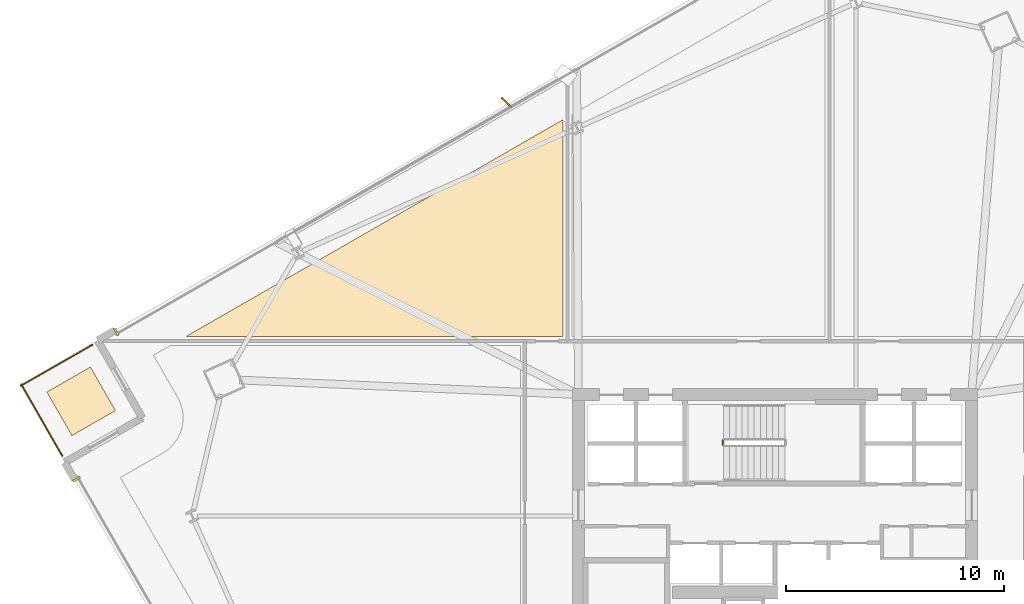
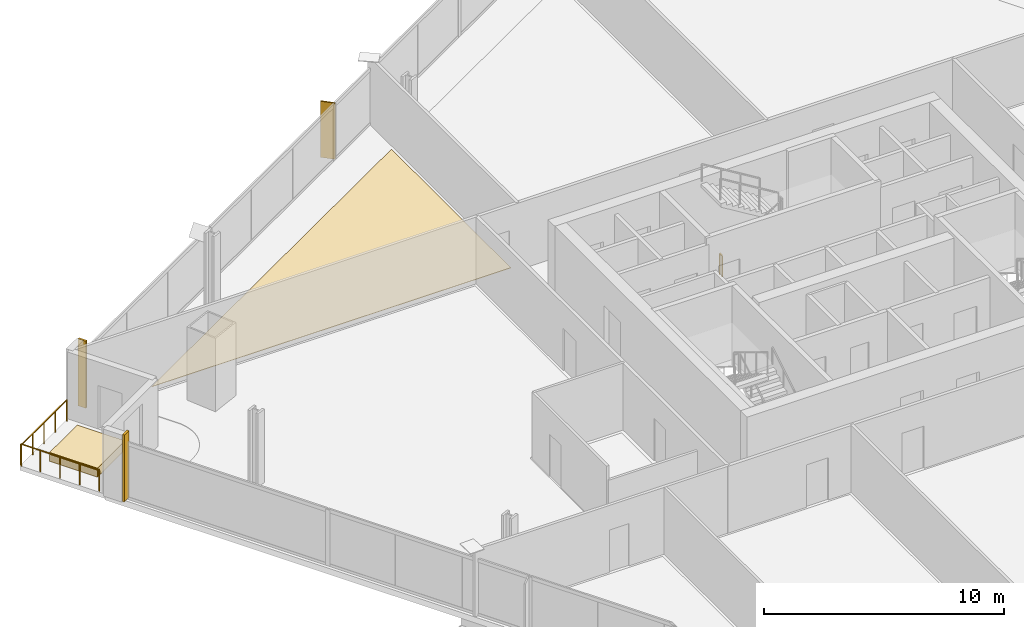
# One storey, part 31 of 33: 4 coverings, 3 railings, 1 shading device.
"""IFC4 building model written with IfcOpenShell, lengths in metres."""

from ifc_helpers import new_model, si_unit, direction, frame, origin, origin_2d, place, context, subcontext, project, spatial, polyline, rectangle, outline, extrude, source, transform, mapped, material, layer, layer_set, type_object, element, save


model = new_model("IFC4")

# Units and contexts
model_context = context("Model", 3, precision=1e-05, world=origin(), true_north=direction((0.0, 1.0)))
body_context = subcontext(model_context, "Body", "Model", "MODEL_VIEW")
ifc_project = project(units=[si_unit("LENGTHUNIT", "METRE"), si_unit("AREAUNIT", "SQUARE_METRE"), si_unit("VOLUMEUNIT", "CUBIC_METRE"), si_unit("PLANEANGLEUNIT", "RADIAN"), si_unit("MASSUNIT", "GRAM", prefix="KILO")], contexts=[model_context])

# Site, building, storey
site_placement = place(None, origin())
site = spatial("IfcSite", under=ifc_project, at=site_placement, CompositionType="ELEMENT")
building_placement = place(site_placement, origin())
building = spatial("IfcBuilding", under=site, at=building_placement, Name="Haldenkirk Collegiate Tower", CompositionType="ELEMENT")
storey_placement = place(building_placement, frame((0.0, 0.0, 127.949951171875)))
storey = spatial("IfcBuildingStorey", under=building, at=storey_placement, Name="L31", CompositionType="ELEMENT", Elevation=127.949951171875)

# Coverings
ifc_material_1 = material(Name="Engineered collegiate oak acoustic flooring", Category="wood")
ifc_layer_1 = layer(ifc_material_1, 0.02197265625)
ifc_layer_set_1 = layer_set([ifc_layer_1], Name="Engineered collegiate oak acoustic flooring")
covering_type_1 = type_object("IfcCoveringType", Name="COV-FLOOR-TIMBER", PredefinedType="FLOORING", material=ifc_layer_set_1)
covering_1_placement = place(storey_placement, origin())
element("IfcCovering", 1, at=covering_1_placement, inside=storey, type_object=covering_type_1, Name="L31 academic room finish 05", PredefinedType="FLOORING", context=body_context, shape_type="SweptSolid", body=[
    extrude(outline(polyline([(26.300048828125, 46.584716796875), (26.300048828125, 36.64990234375), (9.023193359375, 36.64990234375), (26.300048828125, 46.584716796875)])), origin(), (0.0, 0.0, 1.0), 0.02197265625),
])
ifc_material_2 = material(Name="Precast concrete f'c 40 MPa", Category="concrete")
ifc_layer_2 = layer(ifc_material_2, 0.449951171875)
ifc_layer_set_2 = layer_set([ifc_layer_2], Name="Precast concrete f'c 40 MPa")
covering_type_2 = type_object("IfcCoveringType", Name="COV-PLANTER-450", PredefinedType="USERDEFINED", material=ifc_layer_set_2)
covering_2_placement = place(storey_placement, origin())
element("IfcCovering", 2, at=covering_2_placement, inside=storey, type_object=covering_type_2, Name="L31 planted garden planter bed", ObjectType="PLANTER", PredefinedType="USERDEFINED", context=body_context, shape_type="SweptSolid", body=[
    extrude(outline(polyline([(3.81494140625, 32.120849609375), (2.668212890625, 34.11474609375), (4.662109375, 35.26123046875), (5.808837890625, 33.267333984375), (3.81494140625, 32.120849609375)])), origin(), (0.0, 0.0, 1.0), 0.449951171875),
])

# Railings
ifc_material_3 = material(Name="Painted architectural tubular steel", Category="steel")
railing_type_1 = type_object("IfcRailingType", Name="RLG-STAIR-GUARD-1100", PredefinedType="BALUSTRADE", material=ifc_material_3)
railing_1_placement = place(storey_placement, frame((33.60009765625, 31.699951171875, 0.0)))
element("IfcRailing", 3, at=railing_1_placement, inside=storey, type_object=railing_type_1, Name="L31 ST-3 stair guard 4", PredefinedType="BALUSTRADE", context=body_context, shape_type="SweptSolid", body=[
    extrude(rectangle(XDim=0.048095703125, YDim=0.048095703125, at=origin_2d()), frame((0.0, 0.0, 1.076171875), z_axis=(0.0, 1.0, 0.0), x_axis=(-1.0, 0.0, 0.0)), (0.0, 0.0, 1.0), 0.199951171875),
    extrude(rectangle(XDim=0.0419921875, YDim=0.0419921875, at=origin_2d()), origin(), (0.0, 0.0, 1.0), 1.052001953125),
    extrude(rectangle(XDim=0.0419921875, YDim=0.0419921875, at=origin_2d()), frame((0.0, 0.199951171875, 0.0)), (0.0, 0.0, 1.0), 1.052001953125),
])
ifc_material_4 = material(Name="Anodised architectural bronze aluminium", Category="aluminium")
railing_type_2 = type_object("IfcRailingType", Name="RLG-TERR-BALUSTRADE-1100", PredefinedType="BALUSTRADE", material=ifc_material_4)
railing_2_placement = place(storey_placement, frame((4.746337890625, 36.278564453125, 0.0)))
element("IfcRailing", 4, at=railing_2_placement, inside=storey, type_object=railing_type_2, Name="L31 terrace guard balustrade 3-1", PredefinedType="BALUSTRADE", context=body_context, shape_type="SweptSolid", body=[
    extrude(rectangle(XDim=0.048095703125, YDim=0.048095703125, at=origin_2d()), frame((0.0, 0.0, 1.076171875), z_axis=(-0.866896534338, -0.49848811295, 0.0), x_axis=(0.49848811295, -0.866896534338, 0.0)), (0.0, 0.0, 1.0), 3.780029296875),
    extrude(rectangle(XDim=0.0419921875, YDim=0.0419921875, at=origin_2d()), origin(), (0.0, 0.0, 1.0), 1.052001953125),
    extrude(rectangle(XDim=0.0419921875, YDim=0.0419921875, at=origin_2d()), frame((-0.8193359375, -0.47119140625, 0.0)), (0.0, 0.0, 1.0), 1.052001953125),
    extrude(rectangle(XDim=0.0419921875, YDim=0.0419921875, at=origin_2d()), frame((-1.638427734375, -0.942138671875, 0.0)), (0.0, 0.0, 1.0), 1.052001953125),
    extrude(rectangle(XDim=0.0419921875, YDim=0.0419921875, at=origin_2d()), frame((-2.45751953125, -1.4130859375, 0.0)), (0.0, 0.0, 1.0), 1.052001953125),
    extrude(rectangle(XDim=0.0419921875, YDim=0.0419921875, at=origin_2d()), frame((-3.27685546875, -1.88427734375, 0.0)), (0.0, 0.0, 1.0), 1.052001953125),
])
railing_3_placement = place(storey_placement, frame((1.491455078125, 34.476318359375, 0.0)))
element("IfcRailing", 5, at=railing_3_placement, inside=storey, type_object=railing_type_2, Name="L31 terrace guard balustrade 4-1", PredefinedType="BALUSTRADE", context=body_context, shape_type="SweptSolid", body=[
    extrude(rectangle(XDim=0.048095703125, YDim=0.048095703125, at=origin_2d()), frame((0.0, 0.0, 1.076171875), z_axis=(0.498460203466, -0.866912582421, 0.0), x_axis=(0.866912582421, 0.498460203466, 0.0)), (0.0, 0.0, 1.0), 3.7802734375),
    extrude(rectangle(XDim=0.0419921875, YDim=0.0419921875, at=origin_2d()), origin(), (0.0, 0.0, 1.0), 1.052001953125),
    extrude(rectangle(XDim=0.0419921875, YDim=0.0419921875, at=origin_2d()), frame((0.47119140625, -0.8193359375, 0.0)), (0.0, 0.0, 1.0), 1.052001953125),
    extrude(rectangle(XDim=0.0419921875, YDim=0.0419921875, at=origin_2d()), frame((0.942138671875, -1.638671875, 0.0)), (0.0, 0.0, 1.0), 1.052001953125),
    extrude(rectangle(XDim=0.0419921875, YDim=0.0419921875, at=origin_2d()), frame((1.4130859375, -2.457763671875, 0.0)), (0.0, 0.0, 1.0), 1.052001953125),
    extrude(rectangle(XDim=0.0419921875, YDim=0.0419921875, at=origin_2d()), frame((1.88427734375, -3.277099609375, 0.0)), (0.0, 0.0, 1.0), 1.052001953125),
])

# Coverings
ifc_layer_3 = layer(ifc_material_4, 0.06005859375)
ifc_layer_set_3 = layer_set([ifc_layer_3], Name="Anodised architectural bronze aluminium")
covering_type_3 = type_object("IfcCoveringType", Name="COV-CLAD-BRONZE-60", PredefinedType="CLADDING", material=ifc_layer_set_3)
shared_shape_1 = source(origin(), body_context, "Body", "SweptSolid", [
    extrude(rectangle(XDim=0.10009765625, YDim=0.3798828125, at=origin_2d()), origin(), (0.0, 0.0, 1.0), 3.39990234375),
])
for number, where, z_axis, x_axis, name in (
    (6, (5.844970703125, 36.87548828125, 0.0), (0.0, 0.0, 1.0), (0.866896748936, 0.498487739754, 0.0), "L31 recessed curtain-wall bronze jamb closure NJL"),
    (7, (4.02490234375, 30.130615234375, 0.0), (0.0, 0.0, 1.0), (-0.498487739754, 0.866896748936, 0.0), "L31 recessed curtain-wall bronze jamb closure WJR"),
):
    element("IfcCovering", number, at=place(storey_placement, frame(where, z_axis=z_axis, x_axis=x_axis)), inside=storey, type_object=covering_type_3, Name=name, PredefinedType="CLADDING", context=body_context, shape_type="MappedRepresentation", body=[
        mapped(shared_shape_1, transform((0.0, 0.0, 0.0), x_axis=(1.0, 0.0, 0.0), y_axis=(0.0, 1.0, 0.0), z_axis=(0.0, 0.0, 1.0), scale=1.0)),
    ])

# Shading device
ifc_layer_4 = layer(ifc_material_4, 0.06494140625)
ifc_layer_set_4 = layer_set([ifc_layer_4], Name="Anodised architectural bronze aluminium")
shading_device_type = type_object("IfcShadingDeviceType", Name="SHD-FIN-BRONZE-620", PredefinedType="USERDEFINED", material=ifc_layer_set_4)
shared_shape_2 = source(origin(), body_context, "Body", "SweptSolid", [
    extrude(rectangle(XDim=0.6201171875, YDim=0.06494140625, at=origin_2d()), origin(), (0.0, 0.0, 1.0), 2.85107421875),
])
shading_device_placement = place(storey_placement, frame((23.70458984375, 47.382080078125, 0.0), z_axis=(0.0, 0.0, 1.0), x_axis=(-0.718126297763, 0.695912796592, 0.0)))
element("IfcShadingDevice", 8, at=shading_device_placement, inside=storey, type_object=shading_device_type, Name="L31 folded bronze solar fin 1", ObjectType="FIN", PredefinedType="USERDEFINED", context=body_context, shape_type="MappedRepresentation", body=[
    mapped(shared_shape_2, transform((0.0, 0.0, 0.0), x_axis=(1.0, 0.0, 0.0), y_axis=(0.0, 1.0, 0.0), z_axis=(0.0, 0.0, 1.0), scale=1.0)),
])

save(model, "model.ifc")
